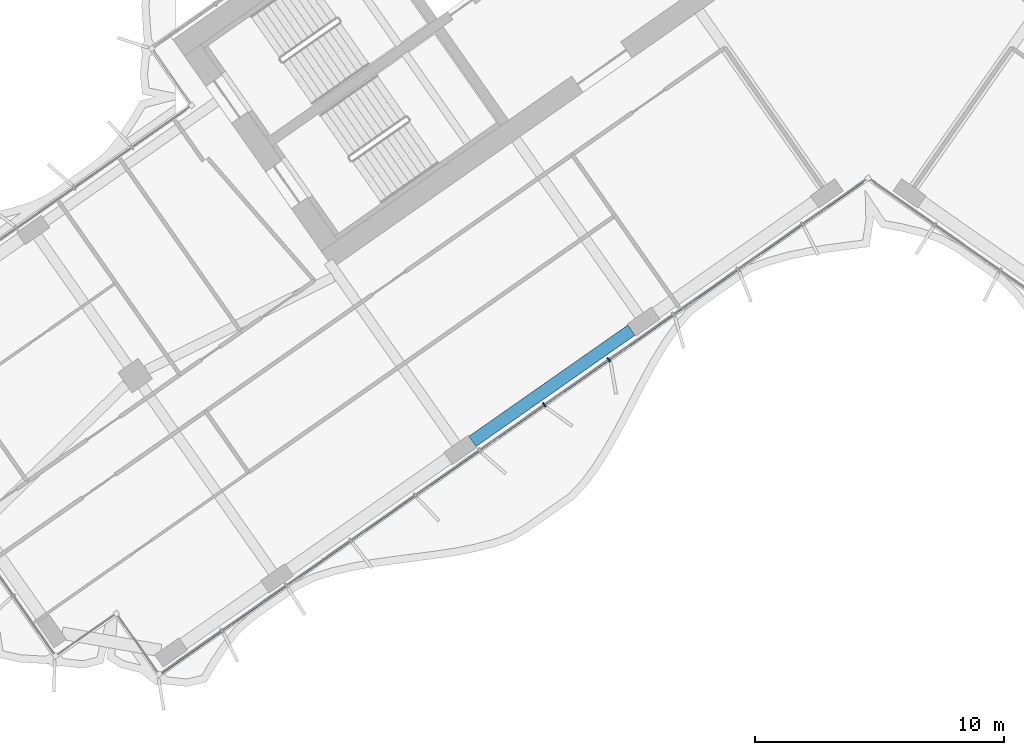
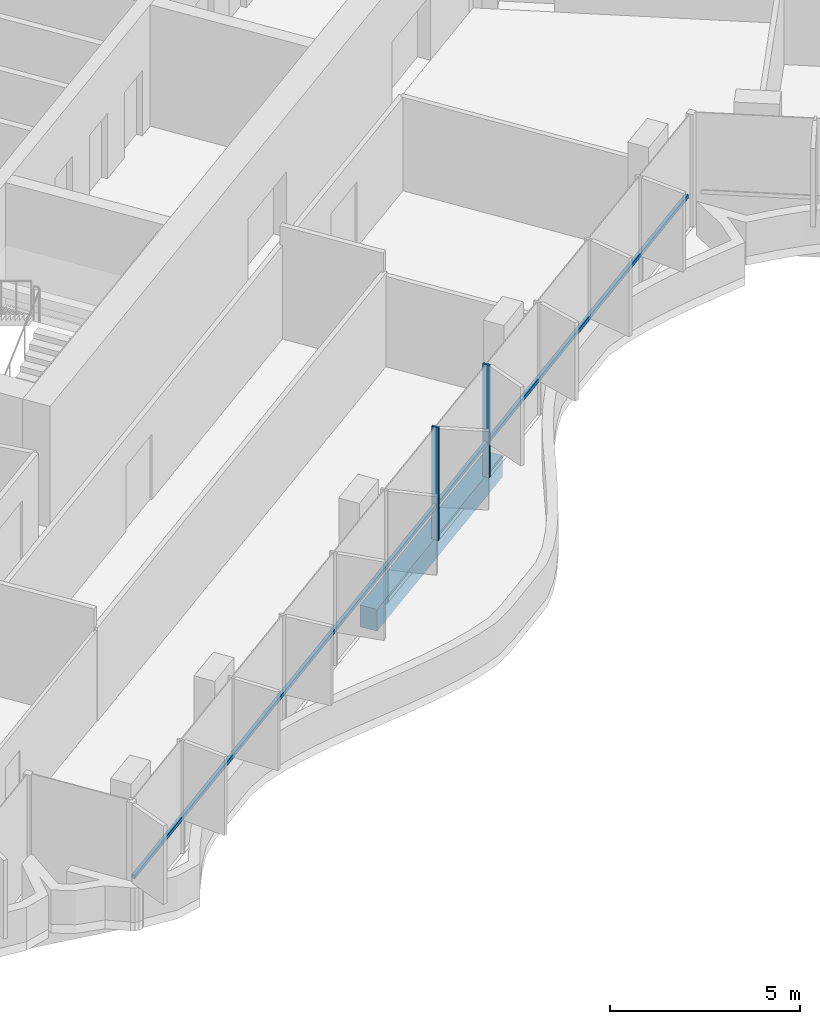
# One storey, part 3 of 21: 3 members, 1 beam, 1 element without a shape of its own.
"""IFC4 building model written with IfcOpenShell, lengths in metres."""

import ifcopenshell
import ifcopenshell.guid

model = None  # the IFC model being written
_history = None  # IfcOwnerHistory: only IFC2X3 demands one
_inside = {}  # id of a spatial element -> (the spatial element, [elements in it])
_under = {}  # id of a project, library or spatial element -> (it, [spatial elements below it])
_declared = {}  # id of a project -> (the project, [libraries it declares])
_typed = {}  # id of a type object -> (the type object, [elements of that type])
_made_of = {}  # id of a material, layer set ... -> (it, [elements and type objects made of it])


def new_model(schema):
    """Start an empty IFC model of exactly this schema.

    Asked for "IFC4X3", IfcOpenShell would pick the latest addendum, in which some entities
    have other attributes; the version numbers below select the first issue.
    IFC2X3 requires an IfcOwnerHistory on every rooted entity: one is made here for all.
    """
    global model, _history
    if schema == "IFC4X3":
        model = ifcopenshell.file(schema_version=(4, 3, 0, 0))
    else:
        model = ifcopenshell.file(schema=schema)
    _inside.clear()
    _under.clear()
    _declared.clear()
    _typed.clear()
    _made_of.clear()
    _history = None
    if model.schema == "IFC2X3":
        org = make("IfcOrganization", Name="unknown")
        user = make(
            "IfcPersonAndOrganization",
            ThePerson=make("IfcPerson", FamilyName="unknown"),
            TheOrganization=org,
        )
        app = make(
            "IfcApplication",
            ApplicationDeveloper=org,
            Version="unknown",
            ApplicationFullName="unknown",
            ApplicationIdentifier="unknown",
        )
        _history = make(
            "IfcOwnerHistory",
            OwningUser=user,
            OwningApplication=app,
            ChangeAction="ADDED",
            CreationDate=0,
        )
    return model


def make(cls, **values):
    """One entity of the class cls with the attributes given. An attribute that is None is left unset."""
    return model.create_entity(
        cls, **{name: value for name, value in values.items() if value is not None}
    )


def rooted(cls, **values):
    """An entity with a GlobalId (a new one), such as an element, a storey or a relation."""
    return make(cls, GlobalId=ifcopenshell.guid.new(), OwnerHistory=_history, **values)


def si_unit(unit_type, name, prefix=None):
    """IfcSIUnit, for example si_unit("LENGTHUNIT", "METRE", prefix="MILLI")."""
    return make("IfcSIUnit", UnitType=unit_type, Prefix=prefix, Name=name)


def assignment(units):
    """IfcUnitAssignment: the units of a project."""
    return None if units is None else make("IfcUnitAssignment", Units=units)


def point(xyz):
    """IfcCartesianPoint."""
    return None if xyz is None else make("IfcCartesianPoint", Coordinates=xyz)


def direction(xyz):
    """IfcDirection."""
    return None if xyz is None else make("IfcDirection", DirectionRatios=xyz)


def frame(location, z_axis=None, x_axis=None):
    """IfcAxis2Placement3D, a coordinate frame: its origin and axes. An axis left out is left unset."""
    return make(
        "IfcAxis2Placement3D",
        Location=point(location),
        Axis=direction(z_axis),
        RefDirection=direction(x_axis),
    )


def frame_2d(location, x_axis=None):
    """IfcAxis2Placement2D, a coordinate frame in the plane: its origin and x axis."""
    return make(
        "IfcAxis2Placement2D", Location=point(location), RefDirection=direction(x_axis)
    )


def origin():
    """The frame at (0, 0, 0) with its axes left unset."""
    return frame((0.0, 0.0, 0.0))


def origin_2d():
    """The frame at (0, 0) in the plane with its x axis left unset."""
    return frame_2d((0.0, 0.0))


def place(relative_to, where):
    """IfcLocalPlacement: puts the frame where relative to a parent placement (None: the world)."""
    return make(
        "IfcLocalPlacement", PlacementRelTo=relative_to, RelativePlacement=where
    )


def context(
    kind, dimensions, precision=None, world=None, true_north=None, identifier=None
):
    """IfcGeometricRepresentationContext, for example the 3D "Model" context."""
    return make(
        "IfcGeometricRepresentationContext",
        ContextIdentifier=identifier,
        ContextType=kind,
        CoordinateSpaceDimension=dimensions,
        Precision=precision,
        WorldCoordinateSystem=world,
        TrueNorth=true_north,
    )


def subcontext(parent, identifier, kind, view, scale=None):
    """IfcGeometricRepresentationSubContext, for example "Body" below "Model"."""
    return make(
        "IfcGeometricRepresentationSubContext",
        ContextIdentifier=identifier,
        ContextType=kind,
        ParentContext=parent,
        TargetScale=scale,
        TargetView=view,
    )


def project(units=None, contexts=None):
    """IfcProject with its units and contexts."""
    return rooted(
        "IfcProject",
        Name="project",
        RepresentationContexts=contexts,
        UnitsInContext=assignment(units),
    )


def spatial(cls, under=None, at=None, **own):
    """A site, building, storey or space (cls), placed at a placement, below another one or the project."""
    s = rooted(cls, ObjectPlacement=at, **own)
    if under is not None:
        _under.setdefault(under.id(), (under, []))[1].append(s)
    return s


def profile(cls, at=None, kind="AREA", **sizes):
    """A parametric profile (cls). Its sizes go by their IFC names, for example OverallWidth=200.0."""
    return make(cls, ProfileType=kind, Position=at, **sizes)


def rectangle(**sizes):
    """IfcRectangleProfileDef."""
    return profile("IfcRectangleProfileDef", **sizes)


def extrude(swept, where, along, depth):
    """IfcExtrudedAreaSolid: the profile swept, set in the frame where, extruded along a direction by depth."""
    return make(
        "IfcExtrudedAreaSolid",
        SweptArea=swept,
        Position=where,
        ExtrudedDirection=direction(along),
        Depth=depth,
    )


def shape(context_of_items, identifier, shape_type, items):
    """IfcShapeRepresentation: the items that make up one representation, for example the "Body"."""
    return make(
        "IfcShapeRepresentation",
        ContextOfItems=context_of_items,
        RepresentationIdentifier=identifier,
        RepresentationType=shape_type,
        Items=items,
    )


def material(Name=None, Category=None):
    """IfcMaterial."""
    return make("IfcMaterial", Name=Name, Category=Category)


def material_profile(
    of_material, cross_section, Name=None, Category=None, Priority=None
):
    """IfcMaterialProfile: a cross section and its material."""
    return make(
        "IfcMaterialProfile",
        Name=Name,
        Material=of_material,
        Profile=cross_section,
        Priority=Priority,
        Category=Category,
    )


def profile_set(profiles, Name=None, composite=None):
    """IfcMaterialProfileSet."""
    return make(
        "IfcMaterialProfileSet",
        Name=Name,
        MaterialProfiles=profiles,
        CompositeProfile=composite,
    )


def made_of(thing, what):
    """Note that an element or type object is made of a material, layer set ...; save() writes the relation."""
    if what is not None:
        _made_of.setdefault(what.id(), (what, []))[1].append(thing)
    return thing


def type_object(cls, material=None, **own):
    """A type object (cls), such as IfcWallType, which elements share."""
    return made_of(rooted(cls, **own), material)


def element(
    cls,
    number,
    at=None,
    inside=None,
    cuts=None,
    type_object=None,
    material=None,
    context=None,
    identifier="Body",
    shape_type=None,
    held_by="IfcProductDefinitionShape",
    body=None,
    shapes=None,
    **own,
):
    """One element of the class cls, such as IfcWall. Its Tag is "e" and its number.

    at: its placement. inside: the storey or other place that contains it. cuts: it is an
    opening in that element (IfcRelVoidsElement). A single representation is given by context,
    identifier, shape_type and body (its items); several are given by shapes. held_by: the class
    of the entity that holds the representations. save() writes the other relations.
    """
    e = rooted(cls, Tag="e%d" % number, ObjectPlacement=at, **own)
    if body is not None:
        shapes = [shape(context, identifier, shape_type, body)]
    if shapes is not None:
        e.Representation = make(held_by, Representations=shapes)
    if inside is not None:
        _inside.setdefault(inside.id(), (inside, []))[1].append(e)
    if cuts is not None:
        rooted(
            "IfcRelVoidsElement", RelatingBuildingElement=cuts, RelatedOpeningElement=e
        )
    if type_object is not None:
        _typed.setdefault(type_object.id(), (type_object, []))[1].append(e)
    return made_of(e, material)


def aggregate(whole, parts):
    """IfcRelAggregates: a whole, such as a stair, and the parts it consists of."""
    return rooted("IfcRelAggregates", RelatingObject=whole, RelatedObjects=parts)


def save(model, path):
    """Write the relations noted so far, then the file.

    IfcRelAggregates (storeys below a building ...), IfcRelContainedInSpatialStructure (elements
    in a storey), IfcRelDefinesByType, IfcRelAssociatesMaterial and IfcRelDeclares: one each for
    every whole, place, type object, material and project.
    """
    for whole, parts in _under.values():
        aggregate(whole, parts)
    for where, things in _inside.values():
        rooted(
            "IfcRelContainedInSpatialStructure",
            RelatedElements=things,
            RelatingStructure=where,
        )
    for kind, things in _typed.values():
        rooted("IfcRelDefinesByType", RelatedObjects=things, RelatingType=kind)
    for what, things in _made_of.values():
        rooted("IfcRelAssociatesMaterial", RelatedObjects=things, RelatingMaterial=what)
    for by, libraries in _declared.values():
        rooted("IfcRelDeclares", RelatingContext=by, RelatedDefinitions=libraries)
    model.write(path)


model = new_model("IFC4")

# Units and contexts
model_context = context("Model", 3, precision=1e-05, world=origin(), true_north=direction((0.0, 1.0)))
body_context = subcontext(model_context, "Body", "Model", "MODEL_VIEW")
ifc_project = project(units=[si_unit("LENGTHUNIT", "METRE"), si_unit("AREAUNIT", "SQUARE_METRE"), si_unit("VOLUMEUNIT", "CUBIC_METRE"), si_unit("PLANEANGLEUNIT", "RADIAN"), si_unit("MASSUNIT", "GRAM", prefix="KILO")], contexts=[model_context])

# Site, building, storey
site_placement = place(None, origin())
site = spatial("IfcSite", under=ifc_project, at=site_placement, CompositionType="ELEMENT")
building_placement = place(site_placement, origin())
building = spatial("IfcBuilding", under=site, at=building_placement, Name="Tel Ilan Convention Tower", CompositionType="ELEMENT")
storey_placement = place(building_placement, frame((0.0, 0.0, 159.300048828125)))
storey = spatial("IfcBuildingStorey", under=building, at=storey_placement, Name="L36", CompositionType="ELEMENT", Elevation=159.300048828125)

# Beam
ifc_material_1 = material(Name="Concrete C40/50", Category="concrete")
ifc_material_profile_1 = material_profile(ifc_material_1, rectangle(XDim=0.5, YDim=0.699951171875, at=origin_2d()), Name="RC 500x700")
ifc_profile_set_1 = profile_set([ifc_material_profile_1], Name="Concrete C40/50")
beam_type = type_object("IfcBeamType", Name="Beam RC 500x700 Concrete C40/50", PredefinedType="BEAM", material=ifc_profile_set_1)
beam_placement = place(storey_placement, frame((-9.529052734375, -18.819091796875, -0.630126953125), z_axis=(-0.819153977895, -0.573573674866, 0.0), x_axis=(0.573573674866, -0.819153977895, 0.0)))
element("IfcBeam", 1, at=beam_placement, inside=storey, type_object=beam_type, Name="L36 beam W-W-F2-W-F3", PredefinedType="BEAM", context=body_context, shape_type="SweptSolid", body=[
    extrude(rectangle(XDim=0.5, YDim=0.699951171875, at=origin_2d()), origin(), (0.0, 0.0, 1.0), 7.800048828125),
])

# Curtain wall, members
ifc_material_2 = material(Name="Aluminium, bronze anodised", Category="aluminium")
curtain_wall_type = type_object("IfcCurtainWallType", Name="CW4 STICK CURTAIN WALL, OFFICE TINTED GLASS", PredefinedType="NOTDEFINED", material=ifc_material_2)
curtain_wall_placement = place(storey_placement, origin())
curtain_wall = element("IfcCurtainWall", 2, at=curtain_wall_placement, inside=storey, type_object=curtain_wall_type, Name="Curtain wall CW4-28.02", PredefinedType="NOTDEFINED")
ifc_material_3 = material(Name="Aluminium, bronze anodised", Category="aluminium")
ifc_material_profile_2 = material_profile(ifc_material_3, rectangle(XDim=0.06005859375, YDim=0.199951171875, at=origin_2d()), Name="CW MULLION 60x200")
ifc_profile_set_2 = profile_set([ifc_material_profile_2], Name="Aluminium, bronze anodised")
member_type_1 = type_object("IfcMemberType", Name="CW MULLION 60x200", PredefinedType="MULLION", material=ifc_profile_set_2)
member_1_placement = place(storey_placement, frame((-13.03271484375, -21.821533203125, 0.0), z_axis=(0.0, 0.0, 1.0), x_axis=(0.819152044289, 0.573576436351, 0.0)))
member_1 = element("IfcMember", 3, at=member_1_placement, type_object=member_type_1, Name="Mullion", PredefinedType="MULLION", context=body_context, shape_type="SweptSolid", body=[
    extrude(rectangle(XDim=0.06005859375, YDim=0.199951171875, at=origin_2d()), origin(), (0.0, 0.0, 1.0), 3.619873046875),
])
member_2_placement = place(storey_placement, frame((-10.4375, -20.004638671875, 0.0), z_axis=(0.0, 0.0, 1.0), x_axis=(0.819152044289, 0.573576436351, 0.0)))
member_2 = element("IfcMember", 4, at=member_2_placement, type_object=member_type_1, Name="Mullion", PredefinedType="MULLION", context=body_context, shape_type="SweptSolid", body=[
    extrude(rectangle(XDim=0.06005859375, YDim=0.199951171875, at=origin_2d()), origin(), (0.0, 0.0, 1.0), 3.619873046875),
])
ifc_material_4 = material(Name="Aluminium, bronze anodised", Category="aluminium")
ifc_material_profile_3 = material_profile(ifc_material_4, rectangle(XDim=0.10009765625, YDim=0.1201171875, at=origin_2d()), Name="CW TRANSOM 100x120")
ifc_profile_set_3 = profile_set([ifc_material_profile_3], Name="Aluminium, bronze anodised")
member_type_2 = type_object("IfcMemberType", Name="CW TRANSOM 100x120", PredefinedType="USERDEFINED", material=ifc_profile_set_3)
member_3_placement = place(storey_placement, frame((-28.439208984375, -32.609375, 1.099853515625), z_axis=(0.819151003602, 0.573577922604, 0.0), x_axis=(-0.573577922604, 0.819151003602, 0.0)))
member_3 = element("IfcMember", 5, at=member_3_placement, type_object=member_type_2, Name="Transom", ObjectType="TRANSOM", PredefinedType="USERDEFINED", context=body_context, shape_type="SweptSolid", body=[
    extrude(rectangle(XDim=0.10009765625, YDim=0.1201171875, at=origin_2d()), origin(), (0.0, 0.0, 1.0), 34.447998046875),
])
aggregate(curtain_wall, [member_1, member_2, member_3])

save(model, "model.ifc")
